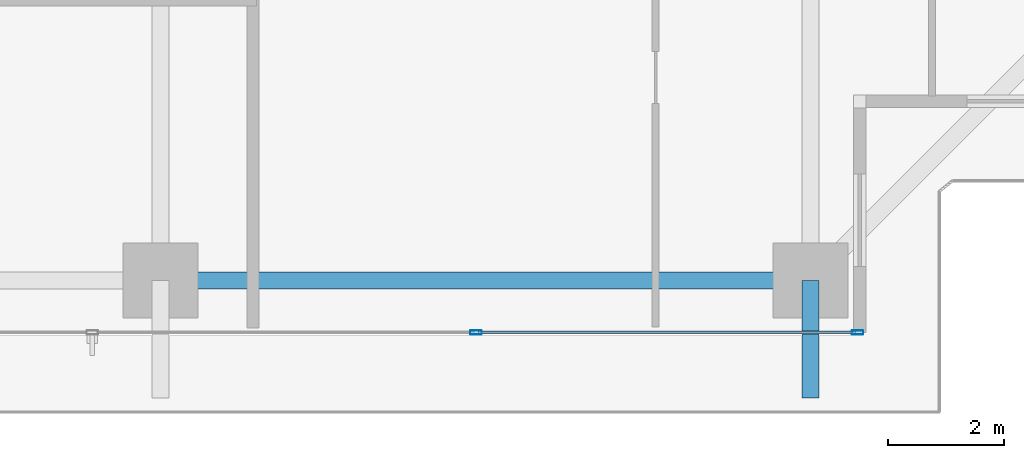
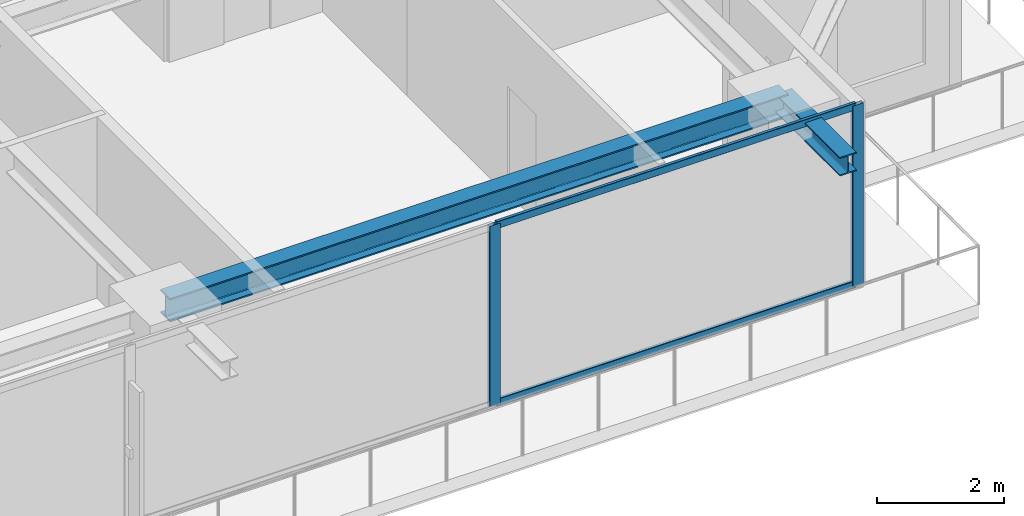
# One storey, part 11 of 39: 4 members, 2 beams, 1 element without a shape of its own.
"""IFC4 building model written with IfcOpenShell, lengths in metres."""

from ifc_helpers import new_model, si_unit, direction, frame, origin, origin_2d, place, context, subcontext, project, spatial, hollow_rectangle, i_section, extrude, source, transform, mapped, material, layer, layer_set, material_profile, profile_set, type_object, element, aggregate, save


model = new_model("IFC4")

# Units and contexts
model_context = context("Model", 3, precision=1e-05, world=origin(), true_north=direction((0.0, 1.0)))
body_context = subcontext(model_context, "Body", "Model", "MODEL_VIEW")
ifc_project = project(units=[si_unit("LENGTHUNIT", "METRE"), si_unit("AREAUNIT", "SQUARE_METRE"), si_unit("VOLUMEUNIT", "CUBIC_METRE"), si_unit("PLANEANGLEUNIT", "RADIAN"), si_unit("MASSUNIT", "GRAM", prefix="KILO")], contexts=[model_context])

# Site, building, storey
site_placement = place(None, origin())
site = spatial("IfcSite", under=ifc_project, at=site_placement, CompositionType="ELEMENT")
building_placement = place(site_placement, origin())
building = spatial("IfcBuilding", under=site, at=building_placement, Name="Serunith Strait Residences", CompositionType="ELEMENT")
storey_placement = place(building_placement, frame((0.0, 0.0, 123.89990234375)))
storey = spatial("IfcBuildingStorey", under=building, at=storey_placement, Name="L30", CompositionType="ELEMENT", Elevation=123.89990234375)

# Beams
ifc_material_1 = material(Name="Steel S355J2", Category="steel")
ifc_material_profile_1 = material_profile(ifc_material_1, i_section(OverallWidth=0.300048828125, OverallDepth=0.449951171875, WebThickness=0.013916015625, FlangeThickness=0.02587890625, FilletRadius=0.027099609375, at=origin_2d()), Name="HEB 450")
ifc_profile_set_1 = profile_set([ifc_material_profile_1], Name="Steel S355J2")
beam_type_1 = type_object("IfcBeamType", Name="BM-HEB450", PredefinedType="BEAM", material=ifc_profile_set_1)
shared_shape_1 = source(origin(), body_context, "Body", "SweptSolid", [
    extrude(i_section(OverallWidth=0.300048828125, OverallDepth=0.449951171875, WebThickness=0.013916015625, FlangeThickness=0.02587890625, FilletRadius=0.027099609375, at=origin_2d()), origin(), (0.0, 0.0, 1.0), 11.25),
])
beam_1_placement = place(storey_placement, frame((36.89990234375, 2.300048828125, 3.26220703125), z_axis=(1.0, 0.0, 0.0), x_axis=(0.0, 1.0, 0.0)))
element("IfcBeam", 1, at=beam_1_placement, inside=storey, type_object=beam_type_1, Name="L30 Perimeter Ring Beam 03", PredefinedType="BEAM", context=body_context, shape_type="MappedRepresentation", body=[
    mapped(shared_shape_1, transform((0.0, 0.0, 0.0), scale=1.0)),
])
ifc_material_profile_2 = material_profile(ifc_material_1, i_section(OverallWidth=0.300048828125, OverallDepth=0.360107421875, WebThickness=0.012451171875, FlangeThickness=0.0224609375, FilletRadius=0.027099609375, at=origin_2d()), Name="HEB 360")
ifc_profile_set_2 = profile_set([ifc_material_profile_2], Name="Steel S355J2")
beam_type_2 = type_object("IfcBeamType", Name="BM-HEB360", PredefinedType="BEAM", material=ifc_profile_set_2)
shared_shape_2 = source(origin(), body_context, "Body", "SweptSolid", [
    extrude(i_section(OverallWidth=0.300048828125, OverallDepth=0.360107421875, WebThickness=0.012451171875, FlangeThickness=0.0224609375, FilletRadius=0.027099609375, at=origin_2d()), origin(), (0.0, 0.0, 1.0), 2.030029296875),
])
beam_2_placement = place(storey_placement, frame((48.14990234375, 2.300048828125, 3.277099609375), z_axis=(0.0, -1.0, 0.0), x_axis=(1.0, 0.0, 0.0)))
element("IfcBeam", 2, at=beam_2_placement, inside=storey, type_object=beam_type_2, Name="L31 Cantilevered Balcony Rib TC-S4", PredefinedType="BEAM", context=body_context, shape_type="MappedRepresentation", body=[
    mapped(shared_shape_2, transform((0.0, 0.0, 0.0), scale=1.0)),
])

# Curtain wall, members
ifc_material_2 = material(Name="Pale-Champagne Anodised Aluminium", Category="aluminium")
ifc_layer = layer(ifc_material_2, 0.199951171875, Name="Pale-Champagne Anodised Aluminium")
ifc_layer_set = layer_set([ifc_layer], Name="Pale-Champagne Anodised Aluminium")
curtain_wall_type = type_object("IfcCurtainWallType", Name="CW-SYS2", PredefinedType="NOTDEFINED", material=ifc_layer_set)
curtain_wall_placement = place(storey_placement, origin())
curtain_wall = element("IfcCurtainWall", 3, at=curtain_wall_placement, inside=storey, type_object=curtain_wall_type, Name="L30 S Unitised Fritted Curtain Wall", PredefinedType="NOTDEFINED")
ifc_material_profile_3 = material_profile(ifc_material_2, hollow_rectangle(XDim=0.070068359375, YDim=0.199951171875, WallThickness=0.00390625, InnerFilletRadius=0.006103515625, OuterFilletRadius=0.010009765625, at=origin_2d()), Name="ALU 200x70x4")
ifc_profile_set_3 = profile_set([ifc_material_profile_3], Name="Pale-Champagne Anodised Aluminium")
member_type_1 = type_object("IfcMemberType", Name="CW-SYS2-MULL", PredefinedType="MULLION", material=ifc_profile_set_3)
shared_shape_3 = source(origin(), body_context, "Body", "SweptSolid", [
    extrude(hollow_rectangle(XDim=0.070068359375, YDim=0.199951171875, WallThickness=0.00390625, InnerFilletRadius=0.006103515625, OuterFilletRadius=0.010009765625, at=origin_2d()), origin(), (0.0, 0.0, 1.0), 3.47509765625),
])
member_1_placement = place(storey_placement, frame((42.360107421875, 1.39990234375, 0.0), z_axis=(0.0, 0.0, 1.0), x_axis=(0.0, 1.0, 0.0)))
member_1 = element("IfcMember", 4, at=member_1_placement, type_object=member_type_1, Name="CW-2 mullion 5", PredefinedType="MULLION", context=body_context, shape_type="MappedRepresentation", body=[
    mapped(shared_shape_3, transform((0.0, 0.0, 0.0), scale=1.0)),
])
member_2_placement = place(storey_placement, frame((48.965087890625, 1.39990234375, 0.0), z_axis=(0.0, 0.0, 1.0), x_axis=(0.0, 1.0, 0.0)))
member_2 = element("IfcMember", 5, at=member_2_placement, type_object=member_type_1, Name="CW-2 mullion 6", PredefinedType="MULLION", context=body_context, shape_type="MappedRepresentation", body=[
    mapped(shared_shape_3, transform((0.0, 0.0, 0.0), scale=1.0)),
])
ifc_material_profile_4 = material_profile(ifc_material_2, hollow_rectangle(XDim=0.06005859375, YDim=0.139892578125, WallThickness=0.00341796875, InnerFilletRadius=0.00537109375, OuterFilletRadius=0.0087890625, at=origin_2d()), Name="ALU 140x60x3.5")
ifc_profile_set_4 = profile_set([ifc_material_profile_4], Name="Pale-Champagne Anodised Aluminium")
member_type_2 = type_object("IfcMemberType", Name="CW-SYS2-TRAN", PredefinedType="USERDEFINED", material=ifc_profile_set_4)
shared_shape_4 = source(origin(), body_context, "Body", "SweptSolid", [
    extrude(hollow_rectangle(XDim=0.06005859375, YDim=0.139892578125, WallThickness=0.00341796875, InnerFilletRadius=0.00537109375, OuterFilletRadius=0.0087890625, at=origin_2d()), origin(), (0.0, 0.0, 1.0), 6.534912109375),
])
member_3_placement = place(storey_placement, frame((42.39501953125, 1.39990234375, 0.030029296875), z_axis=(1.0, 0.0, 0.0), x_axis=(0.0, 1.0, 0.0)))
member_3 = element("IfcMember", 6, at=member_3_placement, type_object=member_type_2, Name="CW-2 transom 5.1", ObjectType="TRANSOM", PredefinedType="USERDEFINED", context=body_context, shape_type="MappedRepresentation", body=[
    mapped(shared_shape_4, transform((0.0, 0.0, 0.0), scale=1.0)),
])
member_4_placement = place(storey_placement, frame((42.39501953125, 1.39990234375, 3.445068359375), z_axis=(1.0, 0.0, 0.0), x_axis=(0.0, 1.0, 0.0)))
member_4 = element("IfcMember", 7, at=member_4_placement, type_object=member_type_2, Name="CW-2 transom 5.2", ObjectType="TRANSOM", PredefinedType="USERDEFINED", context=body_context, shape_type="MappedRepresentation", body=[
    mapped(shared_shape_4, transform((0.0, 0.0, 0.0), scale=1.0)),
])
aggregate(curtain_wall, [member_1, member_2, member_3, member_4])

save(model, "model.ifc")
